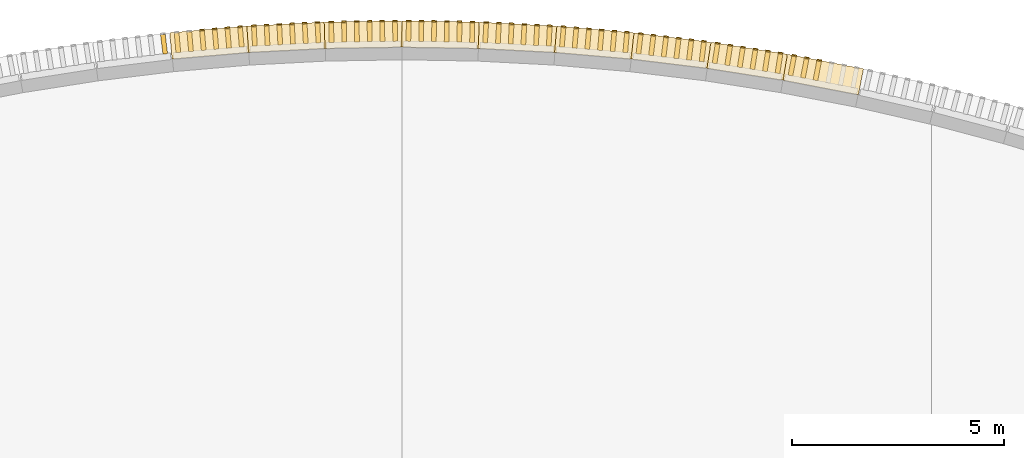
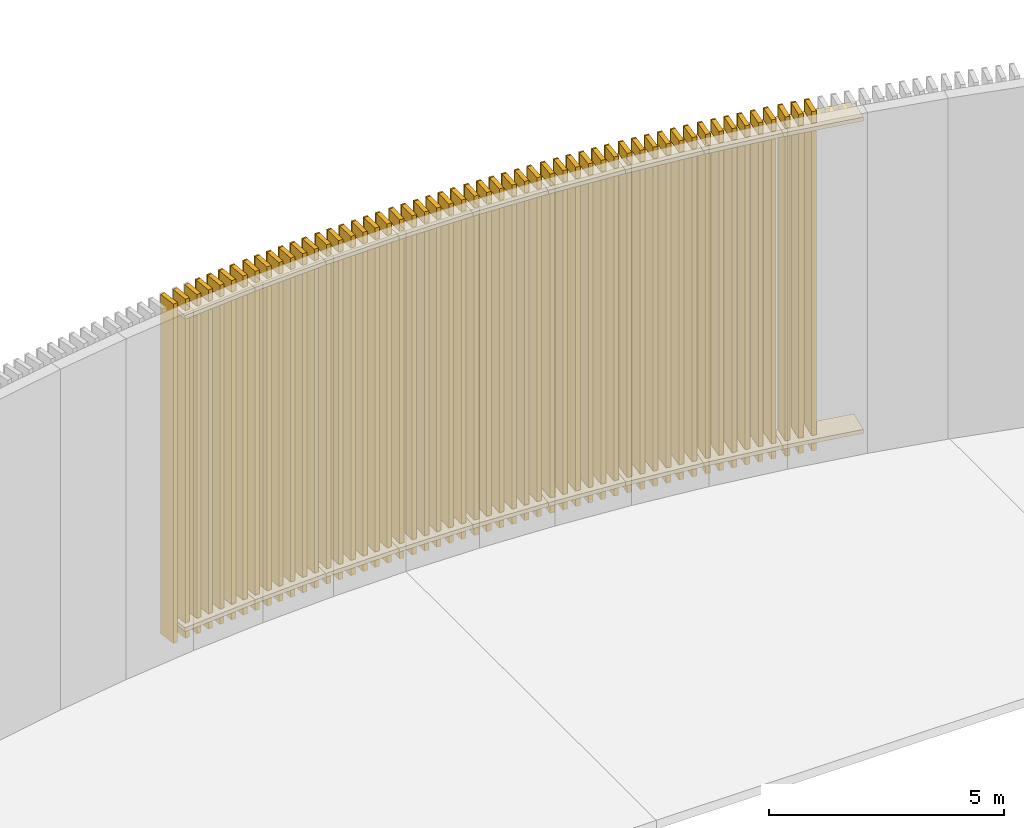
# One storey, part 31 of 32: 67 coverings, 52 shading devices.
"""IFC4 building model written with IfcOpenShell, lengths in metres."""

from ifc_helpers import new_model, si_unit, direction, frame, origin, origin_2d, place, context, subcontext, project, spatial, rectangle, extrude, material, layer, layer_set, type_object, element, save


model = new_model("IFC4")

# Units and contexts
model_context = context("Model", 3, precision=1e-05, world=origin(), true_north=direction((0.0, 1.0)))
body_context = subcontext(model_context, "Body", "Model", "MODEL_VIEW")
ifc_project = project(units=[si_unit("LENGTHUNIT", "METRE"), si_unit("AREAUNIT", "SQUARE_METRE"), si_unit("VOLUMEUNIT", "CUBIC_METRE"), si_unit("PLANEANGLEUNIT", "RADIAN"), si_unit("MASSUNIT", "GRAM", prefix="KILO")], contexts=[model_context])

# Site, building, storey
site_placement = place(None, origin())
site = spatial("IfcSite", under=ifc_project, at=site_placement, CompositionType="ELEMENT")
building_placement = place(site_placement, origin())
building = spatial("IfcBuilding", under=site, at=building_placement, Name="Sardonyx Promenade Sports Hall", CompositionType="ELEMENT")
storey_placement = place(building_placement, frame((0.0, 0.0, 20.39990234375)))
storey = spatial("IfcBuildingStorey", under=building, at=storey_placement, Name="L04", CompositionType="ELEMENT", Elevation=20.39990234375)

# Coverings
ifc_material_1 = material(Name="Glulam GL28h", Category="wood")
ifc_layer = layer(ifc_material_1, 0.110107421875)
ifc_layer_set = layer_set([ifc_layer], Name="Cov_Louvre_GL28h")
covering_type = type_object("IfcCoveringType", Name="Cov_Louvre_GL28h", PredefinedType="MOLDING", material=ifc_layer_set)
for number, where, z_axis, x_axis, name in (
    (1, (49.46630859375, 115.455810546875, 0.320068359375), (0.0, 0.0, 1.0), (0.99625756469, 0.086434164533, 0.0), "Bowed louvre carrier rail L04 CH12 #1"),
    (2, (49.46630859375, 115.455810546875, 8.429931640625), (0.0, 0.0, 1.0), (0.99625756469, 0.086434164533, 0.0), "Bowed louvre carrier rail L04 CH12 #2"),
):
    element("IfcCovering", number, at=place(storey_placement, frame(where, z_axis=z_axis, x_axis=x_axis)), inside=storey, type_object=covering_type, Name=name, PredefinedType="MOLDING", context=body_context, shape_type="SweptSolid", body=[
        extrude(rectangle(XDim=1.820068359375, YDim=0.6201171875, at=origin_2d()), origin(), (0.0, 0.0, 1.0), 0.10009765625),
    ])
for number, where, z_axis, x_axis, name in (
    (3, (49.2900390625, 115.751708984375, 0.02001953125), (0.0, 0.0, 1.0), (0.99625756469, 0.086434164533, 0.0), "Timber louvre nose molding L04 CH12 #3"),
    (4, (49.5888671875, 115.77783203125, 0.02001953125), (0.0, 0.0, 1.0), (0.99625756469, 0.086434164533, 0.0), "Timber louvre nose molding L04 CH12 #4"),
    (5, (49.887939453125, 115.8037109375, 0.02001953125), (0.0, 0.0, 1.0), (0.99625756469, 0.086434164533, 0.0), "Timber louvre nose molding L04 CH12 #5"),
    (6, (50.186767578125, 115.82958984375, 0.02001953125), (0.0, 0.0, 1.0), (0.99625756469, 0.086434164533, 0.0), "Timber louvre nose molding L04 CH12 #6"),
):
    element("IfcCovering", number, at=place(storey_placement, frame(where, z_axis=z_axis, x_axis=x_axis)), inside=storey, type_object=covering_type, Name=name, PredefinedType="MOLDING", context=body_context, shape_type="SweptSolid", body=[
        extrude(rectangle(XDim=0.110107421875, YDim=0.0400390625, at=origin_2d()), origin(), (0.0, 0.0, 1.0), 8.81005859375),
    ])
for number, where, z_axis, x_axis, name in (
    (7, (51.277587890625, 115.58154296875, 0.320068359375), (0.0, 0.0, 1.0), (0.998652184976, 0.051901959917, 0.0), "Bowed louvre carrier rail L04 CH13 #1"),
    (8, (51.277587890625, 115.58154296875, 8.429931640625), (0.0, 0.0, 1.0), (0.998652184976, 0.051901959917, 0.0), "Bowed louvre carrier rail L04 CH13 #2"),
):
    element("IfcCovering", number, at=place(storey_placement, frame(where, z_axis=z_axis, x_axis=x_axis)), inside=storey, type_object=covering_type, Name=name, PredefinedType="MOLDING", context=body_context, shape_type="SweptSolid", body=[
        extrude(rectangle(XDim=1.820068359375, YDim=0.6201171875, at=origin_2d()), origin(), (0.0, 0.0, 1.0), 0.10009765625),
    ])
for number, where, z_axis, x_axis, name in (
    (9, (50.512451171875, 115.85205078125, 0.02001953125), (0.0, 0.0, 1.0), (0.998652184976, 0.051901959917, 0.0), "Timber louvre nose molding L04 CH13 #1"),
    (10, (50.81201171875, 115.86767578125, 0.02001953125), (0.0, 0.0, 1.0), (0.998652184976, 0.051901959917, 0.0), "Timber louvre nose molding L04 CH13 #2"),
    (11, (51.11181640625, 115.88330078125, 0.02001953125), (0.0, 0.0, 1.0), (0.998652184976, 0.051901959917, 0.0), "Timber louvre nose molding L04 CH13 #3"),
    (12, (51.411376953125, 115.89892578125, 0.02001953125), (0.0, 0.0, 1.0), (0.998652184976, 0.051901959917, 0.0), "Timber louvre nose molding L04 CH13 #4"),
    (13, (51.7109375, 115.91455078125, 0.02001953125), (0.0, 0.0, 1.0), (0.998652184976, 0.051901959917, 0.0), "Timber louvre nose molding L04 CH13 #5"),
    (14, (52.010498046875, 115.929931640625, 0.02001953125), (0.0, 0.0, 1.0), (0.998652184976, 0.051901959917, 0.0), "Timber louvre nose molding L04 CH13 #6"),
):
    element("IfcCovering", number, at=place(storey_placement, frame(where, z_axis=z_axis, x_axis=x_axis)), inside=storey, type_object=covering_type, Name=name, PredefinedType="MOLDING", context=body_context, shape_type="SweptSolid", body=[
        extrude(rectangle(XDim=0.110107421875, YDim=0.0400390625, at=origin_2d()), origin(), (0.0, 0.0, 1.0), 8.81005859375),
    ])
for number, where, z_axis, x_axis, name in (
    (15, (53.09228515625, 115.644287109375, 0.320068359375), (0.0, 0.0, 1.0), (0.999850212862, 0.01730756599, 0.0), "Bowed louvre carrier rail L04 CH14 #1"),
    (16, (53.09228515625, 115.644287109375, 8.429931640625), (0.0, 0.0, 1.0), (0.999850212862, 0.01730756599, 0.0), "Bowed louvre carrier rail L04 CH14 #2"),
):
    element("IfcCovering", number, at=place(storey_placement, frame(where, z_axis=z_axis, x_axis=x_axis)), inside=storey, type_object=covering_type, Name=name, PredefinedType="MOLDING", context=body_context, shape_type="SweptSolid", body=[
        extrude(rectangle(XDim=1.820068359375, YDim=0.6201171875, at=origin_2d()), origin(), (0.0, 0.0, 1.0), 0.10009765625),
    ])
for number, where, z_axis, x_axis, name in (
    (17, (52.3369140625, 115.94140625, 0.02001953125), (0.0, 0.0, 1.0), (0.999850212862, 0.01730756599, 0.0), "Timber louvre nose molding L04 CH14 #1"),
    (18, (52.636962890625, 115.946533203125, 0.02001953125), (0.0, 0.0, 1.0), (0.999850212862, 0.01730756599, 0.0), "Timber louvre nose molding L04 CH14 #2"),
    (19, (52.936767578125, 115.95166015625, 0.02001953125), (0.0, 0.0, 1.0), (0.999850212862, 0.01730756599, 0.0), "Timber louvre nose molding L04 CH14 #3"),
    (20, (53.23681640625, 115.956787109375, 0.02001953125), (0.0, 0.0, 1.0), (0.999850212862, 0.01730756599, 0.0), "Timber louvre nose molding L04 CH14 #4"),
    (21, (53.53662109375, 115.962158203125, 0.02001953125), (0.0, 0.0, 1.0), (0.999850212862, 0.01730756599, 0.0), "Timber louvre nose molding L04 CH14 #5"),
    (22, (53.836669921875, 115.96728515625, 0.02001953125), (0.0, 0.0, 1.0), (0.999850212862, 0.01730756599, 0.0), "Timber louvre nose molding L04 CH14 #6"),
):
    element("IfcCovering", number, at=place(storey_placement, frame(where, z_axis=z_axis, x_axis=x_axis)), inside=storey, type_object=covering_type, Name=name, PredefinedType="MOLDING", context=body_context, shape_type="SweptSolid", body=[
        extrude(rectangle(XDim=0.110107421875, YDim=0.0400390625, at=origin_2d()), origin(), (0.0, 0.0, 1.0), 8.81005859375),
    ])
for number, where, z_axis, x_axis, name in (
    (23, (54.90771484375, 115.644287109375, 0.320068359375), (0.0, 0.0, 1.0), (0.999850212862, -0.01730756599, 0.0), "Bowed louvre carrier rail L04 CH15 #1"),
    (24, (54.90771484375, 115.644287109375, 8.429931640625), (0.0, 0.0, 1.0), (0.999850212862, -0.01730756599, 0.0), "Bowed louvre carrier rail L04 CH15 #2"),
):
    element("IfcCovering", number, at=place(storey_placement, frame(where, z_axis=z_axis, x_axis=x_axis)), inside=storey, type_object=covering_type, Name=name, PredefinedType="MOLDING", context=body_context, shape_type="SweptSolid", body=[
        extrude(rectangle(XDim=1.820068359375, YDim=0.6201171875, at=origin_2d()), origin(), (0.0, 0.0, 1.0), 0.10009765625),
    ])
for number, where, z_axis, x_axis, name in (
    (25, (54.163330078125, 115.96728515625, 0.02001953125), (0.0, 0.0, 1.0), (0.999850212862, -0.01730756599, 0.0), "Timber louvre nose molding L04 CH15 #1"),
    (26, (54.46337890625, 115.962158203125, 0.02001953125), (0.0, 0.0, 1.0), (0.999850212862, -0.01730756599, 0.0), "Timber louvre nose molding L04 CH15 #2"),
    (27, (54.76318359375, 115.956787109375, 0.02001953125), (0.0, 0.0, 1.0), (0.999850212862, -0.01730756599, 0.0), "Timber louvre nose molding L04 CH15 #3"),
    (28, (55.063232421875, 115.95166015625, 0.02001953125), (0.0, 0.0, 1.0), (0.999850212862, -0.01730756599, 0.0), "Timber louvre nose molding L04 CH15 #4"),
    (29, (55.363037109375, 115.946533203125, 0.02001953125), (0.0, 0.0, 1.0), (0.999850212862, -0.01730756599, 0.0), "Timber louvre nose molding L04 CH15 #5"),
    (30, (55.6630859375, 115.94140625, 0.02001953125), (0.0, 0.0, 1.0), (0.999850212862, -0.01730756599, 0.0), "Timber louvre nose molding L04 CH15 #6"),
):
    element("IfcCovering", number, at=place(storey_placement, frame(where, z_axis=z_axis, x_axis=x_axis)), inside=storey, type_object=covering_type, Name=name, PredefinedType="MOLDING", context=body_context, shape_type="SweptSolid", body=[
        extrude(rectangle(XDim=0.110107421875, YDim=0.0400390625, at=origin_2d()), origin(), (0.0, 0.0, 1.0), 8.81005859375),
    ])
for number, where, z_axis, x_axis, name in (
    (31, (56.722412109375, 115.58154296875, 0.320068359375), (0.0, 0.0, 1.0), (0.998652184976, -0.051901959917, 0.0), "Bowed louvre carrier rail L04 CH16 #1"),
    (32, (56.722412109375, 115.58154296875, 8.429931640625), (0.0, 0.0, 1.0), (0.998652184976, -0.051901959917, 0.0), "Bowed louvre carrier rail L04 CH16 #2"),
):
    element("IfcCovering", number, at=place(storey_placement, frame(where, z_axis=z_axis, x_axis=x_axis)), inside=storey, type_object=covering_type, Name=name, PredefinedType="MOLDING", context=body_context, shape_type="SweptSolid", body=[
        extrude(rectangle(XDim=1.820068359375, YDim=0.6201171875, at=origin_2d()), origin(), (0.0, 0.0, 1.0), 0.10009765625),
    ])
for number, where, z_axis, x_axis, name in (
    (33, (55.989501953125, 115.929931640625, 0.02001953125), (0.0, 0.0, 1.0), (0.998652184976, -0.051901959917, 0.0), "Timber louvre nose molding L04 CH16 #1"),
    (34, (56.2890625, 115.91455078125, 0.02001953125), (0.0, 0.0, 1.0), (0.998652184976, -0.051901959917, 0.0), "Timber louvre nose molding L04 CH16 #2"),
    (35, (56.588623046875, 115.89892578125, 0.02001953125), (0.0, 0.0, 1.0), (0.998652184976, -0.051901959917, 0.0), "Timber louvre nose molding L04 CH16 #3"),
    (36, (56.88818359375, 115.88330078125, 0.02001953125), (0.0, 0.0, 1.0), (0.998652184976, -0.051901959917, 0.0), "Timber louvre nose molding L04 CH16 #4"),
    (37, (57.18798828125, 115.86767578125, 0.02001953125), (0.0, 0.0, 1.0), (0.998652184976, -0.051901959917, 0.0), "Timber louvre nose molding L04 CH16 #5"),
    (38, (57.487548828125, 115.85205078125, 0.02001953125), (0.0, 0.0, 1.0), (0.998652184976, -0.051901959917, 0.0), "Timber louvre nose molding L04 CH16 #6"),
):
    element("IfcCovering", number, at=place(storey_placement, frame(where, z_axis=z_axis, x_axis=x_axis)), inside=storey, type_object=covering_type, Name=name, PredefinedType="MOLDING", context=body_context, shape_type="SweptSolid", body=[
        extrude(rectangle(XDim=0.110107421875, YDim=0.0400390625, at=origin_2d()), origin(), (0.0, 0.0, 1.0), 8.81005859375),
    ])
for number, where, z_axis, x_axis, name in (
    (39, (58.53369140625, 115.455810546875, 0.320068359375), (0.0, 0.0, 1.0), (0.99625756469, -0.086434164533, 0.0), "Bowed louvre carrier rail L04 CH17 #1"),
    (40, (58.53369140625, 115.455810546875, 8.429931640625), (0.0, 0.0, 1.0), (0.99625756469, -0.086434164533, 0.0), "Bowed louvre carrier rail L04 CH17 #2"),
):
    element("IfcCovering", number, at=place(storey_placement, frame(where, z_axis=z_axis, x_axis=x_axis)), inside=storey, type_object=covering_type, Name=name, PredefinedType="MOLDING", context=body_context, shape_type="SweptSolid", body=[
        extrude(rectangle(XDim=1.820068359375, YDim=0.6201171875, at=origin_2d()), origin(), (0.0, 0.0, 1.0), 0.10009765625),
    ])
for number, where, z_axis, x_axis, name in (
    (41, (57.813232421875, 115.82958984375, 0.02001953125), (0.0, 0.0, 1.0), (0.99625756469, -0.086434164533, 0.0), "Timber louvre nose molding L04 CH17 #1"),
    (42, (58.112060546875, 115.8037109375, 0.02001953125), (0.0, 0.0, 1.0), (0.99625756469, -0.086434164533, 0.0), "Timber louvre nose molding L04 CH17 #2"),
    (43, (58.4111328125, 115.77783203125, 0.02001953125), (0.0, 0.0, 1.0), (0.99625756469, -0.086434164533, 0.0), "Timber louvre nose molding L04 CH17 #3"),
    (44, (58.7099609375, 115.751708984375, 0.02001953125), (0.0, 0.0, 1.0), (0.99625756469, -0.086434164533, 0.0), "Timber louvre nose molding L04 CH17 #4"),
    (45, (59.0087890625, 115.725830078125, 0.02001953125), (0.0, 0.0, 1.0), (0.99625756469, -0.086434164533, 0.0), "Timber louvre nose molding L04 CH17 #5"),
    (46, (59.3076171875, 115.699951171875, 0.02001953125), (0.0, 0.0, 1.0), (0.99625756469, -0.086434164533, 0.0), "Timber louvre nose molding L04 CH17 #6"),
):
    element("IfcCovering", number, at=place(storey_placement, frame(where, z_axis=z_axis, x_axis=x_axis)), inside=storey, type_object=covering_type, Name=name, PredefinedType="MOLDING", context=body_context, shape_type="SweptSolid", body=[
        extrude(rectangle(XDim=0.110107421875, YDim=0.0400390625, at=origin_2d()), origin(), (0.0, 0.0, 1.0), 8.81005859375),
    ])
for number, where, z_axis, x_axis, name in (
    (47, (60.339599609375, 115.267578125, 0.320068359375), (0.0, 0.0, 1.0), (0.992669221255, -0.120862803098, 0.0), "Bowed louvre carrier rail L04 CH18 #1"),
    (48, (60.339599609375, 115.267578125, 8.429931640625), (0.0, 0.0, 1.0), (0.992669221255, -0.120862803098, 0.0), "Bowed louvre carrier rail L04 CH18 #2"),
):
    element("IfcCovering", number, at=place(storey_placement, frame(where, z_axis=z_axis, x_axis=x_axis)), inside=storey, type_object=covering_type, Name=name, PredefinedType="MOLDING", context=body_context, shape_type="SweptSolid", body=[
        extrude(rectangle(XDim=1.820068359375, YDim=0.6201171875, at=origin_2d()), origin(), (0.0, 0.0, 1.0), 0.10009765625),
    ])
for number, where, z_axis, x_axis, name in (
    (49, (59.632568359375, 115.666015625, 0.02001953125), (0.0, 0.0, 1.0), (0.992669221255, -0.120862803098, 0.0), "Timber louvre nose molding L04 CH18 #1"),
    (50, (59.930419921875, 115.6298828125, 0.02001953125), (0.0, 0.0, 1.0), (0.992669221255, -0.120862803098, 0.0), "Timber louvre nose molding L04 CH18 #2"),
    (51, (60.22802734375, 115.593505859375, 0.02001953125), (0.0, 0.0, 1.0), (0.992669221255, -0.120862803098, 0.0), "Timber louvre nose molding L04 CH18 #3"),
    (52, (60.52587890625, 115.557373046875, 0.02001953125), (0.0, 0.0, 1.0), (0.992669221255, -0.120862803098, 0.0), "Timber louvre nose molding L04 CH18 #4"),
    (53, (60.82373046875, 115.52099609375, 0.02001953125), (0.0, 0.0, 1.0), (0.992669221255, -0.120862803098, 0.0), "Timber louvre nose molding L04 CH18 #5"),
    (54, (61.12158203125, 115.48486328125, 0.02001953125), (0.0, 0.0, 1.0), (0.992669221255, -0.120862803098, 0.0), "Timber louvre nose molding L04 CH18 #6"),
):
    element("IfcCovering", number, at=place(storey_placement, frame(where, z_axis=z_axis, x_axis=x_axis)), inside=storey, type_object=covering_type, Name=name, PredefinedType="MOLDING", context=body_context, shape_type="SweptSolid", body=[
        extrude(rectangle(XDim=0.110107421875, YDim=0.0400390625, at=origin_2d()), origin(), (0.0, 0.0, 1.0), 8.81005859375),
    ])
for number, where, z_axis, x_axis, name in (
    (55, (62.137939453125, 115.01708984375, 0.320068359375), (0.0, 0.0, 1.0), (0.987891183468, -0.155148347157, 0.0), "Bowed louvre carrier rail L04 CH19 #1"),
    (56, (62.137939453125, 115.01708984375, 8.429931640625), (0.0, 0.0, 1.0), (0.987891183468, -0.155148347157, 0.0), "Bowed louvre carrier rail L04 CH19 #2"),
):
    element("IfcCovering", number, at=place(storey_placement, frame(where, z_axis=z_axis, x_axis=x_axis)), inside=storey, type_object=covering_type, Name=name, PredefinedType="MOLDING", context=body_context, shape_type="SweptSolid", body=[
        extrude(rectangle(XDim=1.820068359375, YDim=0.6201171875, at=origin_2d()), origin(), (0.0, 0.0, 1.0), 0.10009765625),
    ])
for number, where, z_axis, x_axis, name in (
    (57, (61.445068359375, 115.439697265625, 0.02001953125), (0.0, 0.0, 1.0), (0.987891183468, -0.155148347157, 0.0), "Timber louvre nose molding L04 CH19 #1"),
    (58, (61.741455078125, 115.39306640625, 0.02001953125), (0.0, 0.0, 1.0), (0.987891183468, -0.155148347157, 0.0), "Timber louvre nose molding L04 CH19 #2"),
    (59, (62.037841796875, 115.3466796875, 0.02001953125), (0.0, 0.0, 1.0), (0.987891183468, -0.155148347157, 0.0), "Timber louvre nose molding L04 CH19 #3"),
    (60, (62.334228515625, 115.300048828125, 0.02001953125), (0.0, 0.0, 1.0), (0.987891183468, -0.155148347157, 0.0), "Timber louvre nose molding L04 CH19 #4"),
    (61, (62.63037109375, 115.25341796875, 0.02001953125), (0.0, 0.0, 1.0), (0.987891183468, -0.155148347157, 0.0), "Timber louvre nose molding L04 CH19 #5"),
    (62, (62.9267578125, 115.20703125, 0.02001953125), (0.0, 0.0, 1.0), (0.987891183468, -0.155148347157, 0.0), "Timber louvre nose molding L04 CH19 #6"),
):
    element("IfcCovering", number, at=place(storey_placement, frame(where, z_axis=z_axis, x_axis=x_axis)), inside=storey, type_object=covering_type, Name=name, PredefinedType="MOLDING", context=body_context, shape_type="SweptSolid", body=[
        extrude(rectangle(XDim=0.110107421875, YDim=0.0400390625, at=origin_2d()), origin(), (0.0, 0.0, 1.0), 8.81005859375),
    ])
for number, where, z_axis, x_axis, name in (
    (63, (63.92626953125, 114.704345703125, 0.320068359375), (0.0, 0.0, 1.0), (0.981929658139, -0.18924625879, 0.0), "Bowed louvre carrier rail L04 CH20 #1"),
    (64, (63.92626953125, 114.704345703125, 8.429931640625), (0.0, 0.0, 1.0), (0.981929658139, -0.18924625879, 0.0), "Bowed louvre carrier rail L04 CH20 #2"),
):
    element("IfcCovering", number, at=place(storey_placement, frame(where, z_axis=z_axis, x_axis=x_axis)), inside=storey, type_object=covering_type, Name=name, PredefinedType="MOLDING", context=body_context, shape_type="SweptSolid", body=[
        extrude(rectangle(XDim=1.820068359375, YDim=0.6201171875, at=origin_2d()), origin(), (0.0, 0.0, 1.0), 0.10009765625),
    ])
for number, where, z_axis, x_axis, name in (
    (65, (63.24853515625, 115.150634765625, 0.02001953125), (0.0, 0.0, 1.0), (0.981929658139, -0.18924625879, 0.0), "Timber louvre nose molding L04 CH20 #1"),
    (66, (63.543212890625, 115.093994140625, 0.02001953125), (0.0, 0.0, 1.0), (0.981929658139, -0.18924625879, 0.0), "Timber louvre nose molding L04 CH20 #2"),
    (67, (63.837646484375, 115.037109375, 0.02001953125), (0.0, 0.0, 1.0), (0.981929658139, -0.18924625879, 0.0), "Timber louvre nose molding L04 CH20 #3"),
):
    element("IfcCovering", number, at=place(storey_placement, frame(where, z_axis=z_axis, x_axis=x_axis)), inside=storey, type_object=covering_type, Name=name, PredefinedType="MOLDING", context=body_context, shape_type="SweptSolid", body=[
        extrude(rectangle(XDim=0.110107421875, YDim=0.0400390625, at=origin_2d()), origin(), (0.0, 0.0, 1.0), 8.81005859375),
    ])

# Shading devices
ifc_material_2 = material(Name="Glulam GL28h", Category="wood")
shading_device_type = type_object("IfcShadingDeviceType", Name="Shade_Louvre_GL28h", PredefinedType="USERDEFINED", material=ifc_material_2)
for number, where, z_axis, x_axis, name in (
    (68, (48.397683, 115.417898, 0.020098), (0.0, 0.0, 1.0), (0.99266922, 0.1208628, 0.0), "Timber louvre TL01 L04 CH11 #6"),
    (69, (48.713924, 115.450858, 0.020098), (0.0, 0.0, 1.0), (0.99625756, 0.08643416, 0.0), "Timber louvre TL01 L04 CH12 #1"),
    (70, (49.012802, 115.476789, 0.020098), (0.0, 0.0, 1.0), (0.99625756, 0.08643416, 0.0), "Timber louvre TL01 L04 CH12 #2"),
    (71, (49.311679, 115.502719, 0.020098), (0.0, 0.0, 1.0), (0.99625756, 0.08643416, 0.0), "Timber louvre TL01 L04 CH12 #3"),
    (72, (49.610556, 115.52865, 0.020098), (0.0, 0.0, 1.0), (0.99625756, 0.08643416, 0.0), "Timber louvre TL01 L04 CH12 #4"),
    (73, (49.909433, 115.55458, 0.020098), (0.0, 0.0, 1.0), (0.99625756, 0.08643416, 0.0), "Timber louvre TL01 L04 CH12 #5"),
    (74, (50.208311, 115.580511, 0.020098), (0.0, 0.0, 1.0), (0.99625756, 0.08643416, 0.0), "Timber louvre TL01 L04 CH12 #6"),
    (75, (50.525505, 115.602506, 0.020098), (0.0, 0.0, 1.0), (0.99865218, 0.05190196, 0.0), "Timber louvre TL01 L04 CH13 #1"),
    (76, (50.8251, 115.618077, 0.020098), (0.0, 0.0, 1.0), (0.99865218, 0.05190196, 0.0), "Timber louvre TL01 L04 CH13 #2"),
    (77, (51.124696, 115.633648, 0.020098), (0.0, 0.0, 1.0), (0.99865218, 0.05190196, 0.0), "Timber louvre TL01 L04 CH13 #3"),
    (78, (51.424292, 115.649218, 0.020098), (0.0, 0.0, 1.0), (0.99865218, 0.05190196, 0.0), "Timber louvre TL01 L04 CH13 #4"),
    (79, (51.723887, 115.664789, 0.020098), (0.0, 0.0, 1.0), (0.99865218, 0.05190196, 0.0), "Timber louvre TL01 L04 CH13 #5"),
    (80, (52.023483, 115.68036, 0.020098), (0.0, 0.0, 1.0), (0.99865218, 0.05190196, 0.0), "Timber louvre TL01 L04 CH13 #6"),
    (81, (52.341247, 115.691364, 0.020098), (0.0, 0.0, 1.0), (0.99985021, 0.01730757, 0.0), "Timber louvre TL01 L04 CH14 #1"),
    (82, (52.641203, 115.696557, 0.020098), (0.0, 0.0, 1.0), (0.99985021, 0.01730757, 0.0), "Timber louvre TL01 L04 CH14 #2"),
    (83, (52.941158, 115.701749, 0.020098), (0.0, 0.0, 1.0), (0.99985021, 0.01730757, 0.0), "Timber louvre TL01 L04 CH14 #3"),
    (84, (53.241113, 115.706941, 0.020098), (0.0, 0.0, 1.0), (0.99985021, 0.01730757, 0.0), "Timber louvre TL01 L04 CH14 #4"),
    (85, (53.541068, 115.712134, 0.020098), (0.0, 0.0, 1.0), (0.99985021, 0.01730757, 0.0), "Timber louvre TL01 L04 CH14 #5"),
    (86, (53.841023, 115.717326, 0.020098), (0.0, 0.0, 1.0), (0.99985021, 0.01730757, 0.0), "Timber louvre TL01 L04 CH14 #6"),
    (87, (54.158978, 115.717326, 0.020098), (0.0, 0.0, 1.0), (0.99985021, -0.01730757, 0.0), "Timber louvre TL01 L04 CH15 #1"),
    (88, (54.458933, 115.712134, 0.020098), (0.0, 0.0, 1.0), (0.99985021, -0.01730757, 0.0), "Timber louvre TL01 L04 CH15 #2"),
    (89, (54.758888, 115.706941, 0.020098), (0.0, 0.0, 1.0), (0.99985021, -0.01730757, 0.0), "Timber louvre TL01 L04 CH15 #3"),
    (90, (55.058843, 115.701749, 0.020098), (0.0, 0.0, 1.0), (0.99985021, -0.01730757, 0.0), "Timber louvre TL01 L04 CH15 #4"),
    (91, (55.358798, 115.696557, 0.020098), (0.0, 0.0, 1.0), (0.99985021, -0.01730757, 0.0), "Timber louvre TL01 L04 CH15 #5"),
    (92, (55.658753, 115.691364, 0.020098), (0.0, 0.0, 1.0), (0.99985021, -0.01730757, 0.0), "Timber louvre TL01 L04 CH15 #6"),
    (93, (55.976517, 115.68036, 0.020098), (0.0, 0.0, 1.0), (0.99865218, -0.05190196, 0.0), "Timber louvre TL01 L04 CH16 #1"),
    (94, (56.276113, 115.664789, 0.020098), (0.0, 0.0, 1.0), (0.99865218, -0.05190196, 0.0), "Timber louvre TL01 L04 CH16 #2"),
    (95, (56.575708, 115.649218, 0.020098), (0.0, 0.0, 1.0), (0.99865218, -0.05190196, 0.0), "Timber louvre TL01 L04 CH16 #3"),
    (96, (56.875304, 115.633648, 0.020098), (0.0, 0.0, 1.0), (0.99865218, -0.05190196, 0.0), "Timber louvre TL01 L04 CH16 #4"),
    (97, (57.1749, 115.618077, 0.020098), (0.0, 0.0, 1.0), (0.99865218, -0.05190196, 0.0), "Timber louvre TL01 L04 CH16 #5"),
    (98, (57.474495, 115.602506, 0.020098), (0.0, 0.0, 1.0), (0.99865218, -0.05190196, 0.0), "Timber louvre TL01 L04 CH16 #6"),
    (99, (57.791689, 115.580511, 0.020098), (0.0, 0.0, 1.0), (0.99625756, -0.08643416, 0.0), "Timber louvre TL01 L04 CH17 #1"),
    (100, (58.090566, 115.55458, 0.020098), (0.0, 0.0, 1.0), (0.99625756, -0.08643416, 0.0), "Timber louvre TL01 L04 CH17 #2"),
    (101, (58.389443, 115.52865, 0.020098), (0.0, 0.0, 1.0), (0.99625756, -0.08643416, 0.0), "Timber louvre TL01 L04 CH17 #3"),
    (102, (58.688321, 115.502719, 0.020098), (0.0, 0.0, 1.0), (0.99625756, -0.08643416, 0.0), "Timber louvre TL01 L04 CH17 #4"),
    (103, (58.987198, 115.476789, 0.020098), (0.0, 0.0, 1.0), (0.99625756, -0.08643416, 0.0), "Timber louvre TL01 L04 CH17 #5"),
    (104, (59.286075, 115.450858, 0.020098), (0.0, 0.0, 1.0), (0.99625756, -0.08643416, 0.0), "Timber louvre TL01 L04 CH17 #6"),
    (105, (59.602317, 115.417897, 0.020098), (0.0, 0.0, 1.0), (0.99266922, -0.1208628, 0.0), "Timber louvre TL01 L04 CH18 #1"),
    (106, (59.900118, 115.381638, 0.020098), (0.0, 0.0, 1.0), (0.99266922, -0.1208628, 0.0), "Timber louvre TL01 L04 CH18 #2"),
    (107, (60.197919, 115.345379, 0.020098), (0.0, 0.0, 1.0), (0.99266922, -0.1208628, 0.0), "Timber louvre TL01 L04 CH18 #3"),
    (108, (60.49572, 115.30912, 0.020098), (0.0, 0.0, 1.0), (0.99266922, -0.1208628, 0.0), "Timber louvre TL01 L04 CH18 #4"),
    (109, (60.79352, 115.272861, 0.020098), (0.0, 0.0, 1.0), (0.99266922, -0.1208628, 0.0), "Timber louvre TL01 L04 CH18 #5"),
    (110, (61.091321, 115.236602, 0.020098), (0.0, 0.0, 1.0), (0.99266922, -0.1208628, 0.0), "Timber louvre TL01 L04 CH18 #6"),
    (111, (61.406233, 115.192716, 0.020098), (0.0, 0.0, 1.0), (0.98789118, -0.15514835, 0.0), "Timber louvre TL01 L04 CH19 #1"),
    (112, (61.7026, 115.146172, 0.020098), (0.0, 0.0, 1.0), (0.98789118, -0.15514835, 0.0), "Timber louvre TL01 L04 CH19 #2"),
    (113, (61.998967, 115.099628, 0.020098), (0.0, 0.0, 1.0), (0.98789118, -0.15514835, 0.0), "Timber louvre TL01 L04 CH19 #3"),
    (114, (62.295335, 115.053083, 0.020098), (0.0, 0.0, 1.0), (0.98789118, -0.15514835, 0.0), "Timber louvre TL01 L04 CH19 #4"),
    (115, (62.591702, 115.006539, 0.020098), (0.0, 0.0, 1.0), (0.98789118, -0.15514835, 0.0), "Timber louvre TL01 L04 CH19 #5"),
    (116, (62.888069, 114.959995, 0.020098), (0.0, 0.0, 1.0), (0.98789118, -0.15514835, 0.0), "Timber louvre TL01 L04 CH19 #6"),
    (117, (63.201274, 114.905236, 0.020098), (0.0, 0.0, 1.0), (0.98192966, -0.18924626, 0.0), "Timber louvre TL01 L04 CH20 #1"),
    (118, (63.495853, 114.848462, 0.020098), (0.0, 0.0, 1.0), (0.98192966, -0.18924626, 0.0), "Timber louvre TL01 L04 CH20 #2"),
    (119, (63.790432, 114.791688, 0.020098), (0.0, 0.0, 1.0), (0.98192966, -0.18924626, 0.0), "Timber louvre TL01 L04 CH20 #3"),
):
    element("IfcShadingDevice", number, at=place(storey_placement, frame(where, z_axis=z_axis, x_axis=x_axis)), inside=storey, type_object=shading_device_type, material=ifc_material_2, Name=name, ObjectType="LOUVRE", PredefinedType="USERDEFINED", context=body_context, shape_type="SweptSolid", body=[
        extrude(rectangle(XDim=0.11, YDim=0.46), origin(), (0.0, 0.0, 1.0), 8.81),
    ])

save(model, "model.ifc")
